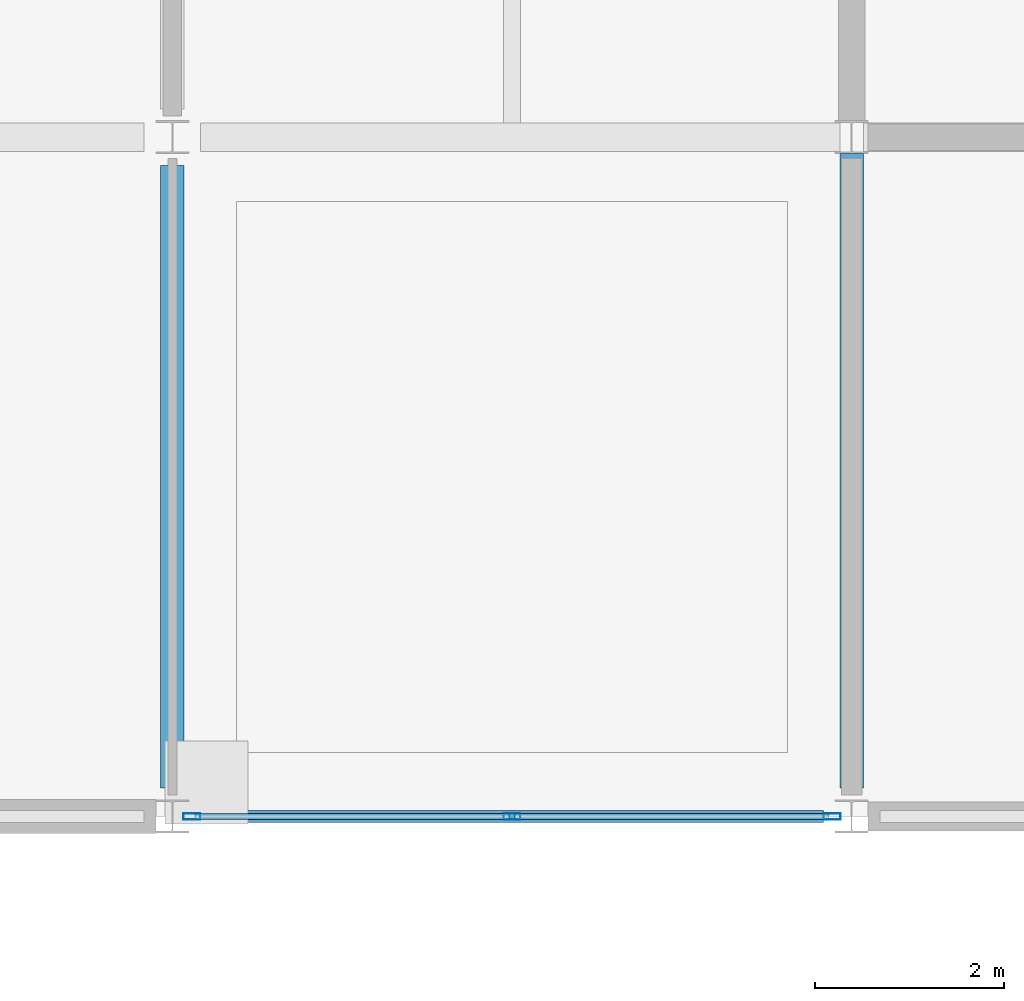
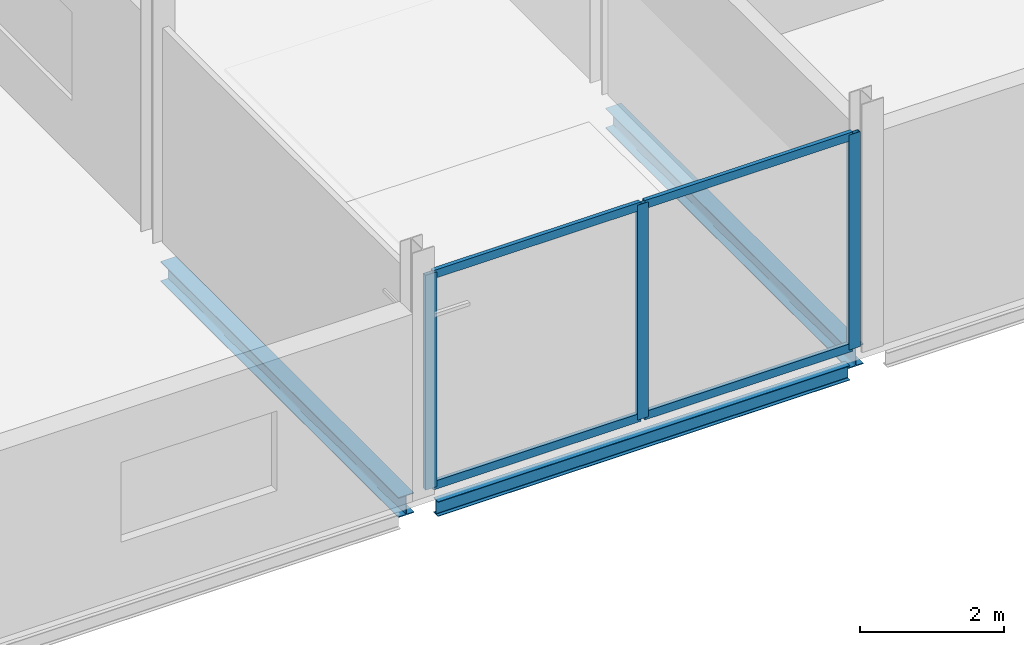
# One storey, part 11 of 26: 7 members, 3 beams, 1 element without a shape of its own.
"""IFC4 building model written with IfcOpenShell, lengths in metres."""

from ifc_helpers import new_model, si_unit, direction, frame, origin, origin_2d, place, context, subcontext, project, spatial, hollow_rectangle, i_section, extrude, material, material_profile, profile_set, type_object, element, aggregate, save


model = new_model("IFC4")

# Units and contexts
model_context = context("Model", 3, precision=1e-05, world=origin(), true_north=direction((0.0, 1.0)))
body_context = subcontext(model_context, "Body", "Model", "MODEL_VIEW")
ifc_project = project(units=[si_unit("LENGTHUNIT", "METRE"), si_unit("AREAUNIT", "SQUARE_METRE"), si_unit("VOLUMEUNIT", "CUBIC_METRE"), si_unit("PLANEANGLEUNIT", "RADIAN"), si_unit("MASSUNIT", "GRAM", prefix="KILO")], contexts=[model_context])

# Site, building, storey
site_placement = place(None, origin())
site = spatial("IfcSite", under=ifc_project, at=site_placement, CompositionType="ELEMENT")
building_placement = place(site_placement, origin())
building = spatial("IfcBuilding", under=site, at=building_placement, Name="Vesperath Aquatics Centre", CompositionType="ELEMENT")
storey_placement = place(building_placement, frame((0.0, 0.0, 19.199951171875)))
storey = spatial("IfcBuildingStorey", under=building, at=storey_placement, Name="L04", CompositionType="ELEMENT", Elevation=19.199951171875)

# Beams
ifc_material_1 = material(Name="Steel Q355C", Category="steel")
ifc_material_profile_1 = material_profile(ifc_material_1, i_section(OverallWidth=0.25, OverallDepth=0.340087890625, WebThickness=0.009033203125, FlangeThickness=0.013916015625, FilletRadius=0.02001953125, at=origin_2d()), Name="HM 340x250x9x14")
ifc_profile_set_1 = profile_set([ifc_material_profile_1], Name="Steel Q355C")
beam_type_1 = type_object("IfcBeamType", Name="BM-G12", PredefinedType="BEAM", material=ifc_profile_set_1)
beam_1_placement = place(storey_placement, frame((158.39990234375, 0.300048828125, -0.409912109375), z_axis=(0.0, 1.0, 0.0), x_axis=(-1.0, 0.0, 0.0)))
element("IfcBeam", 1, at=beam_1_placement, inside=storey, type_object=beam_type_1, Name="Floor Girder B12 L04 23 A-B", PredefinedType="BEAM", context=body_context, shape_type="SweptSolid", body=[
    extrude(i_section(OverallWidth=0.25, OverallDepth=0.340087890625, WebThickness=0.009033203125, FlangeThickness=0.013916015625, FilletRadius=0.02001953125, at=origin_2d()), origin(), (0.0, 0.0, 1.0), 6.599853515625),
])
beam_2_placement = place(storey_placement, frame((165.60009765625, 0.300048828125, -0.409912109375), z_axis=(0.0, 1.0, 0.0), x_axis=(-1.0, 0.0, 0.0)))
element("IfcBeam", 2, at=beam_2_placement, inside=storey, type_object=beam_type_1, Name="Floor Girder B12 L04 24 A-B", PredefinedType="BEAM", context=body_context, shape_type="SweptSolid", body=[
    extrude(i_section(OverallWidth=0.25, OverallDepth=0.340087890625, WebThickness=0.009033203125, FlangeThickness=0.013916015625, FilletRadius=0.02001953125, at=origin_2d()), origin(), (0.0, 0.0, 1.0), 6.724853515625),
])
ifc_material_profile_2 = material_profile(ifc_material_1, i_section(OverallWidth=0.125, OverallDepth=0.25, WebThickness=0.006103515625, FlangeThickness=0.009033203125, FilletRadius=0.010009765625, at=origin_2d()), Name="HN 250x125x6x9")
ifc_profile_set_2 = profile_set([ifc_material_profile_2], Name="Steel Q355C")
beam_type_2 = type_object("IfcBeamType", Name="BM-LN01", PredefinedType="LINTEL", material=ifc_profile_set_2)
beam_3_placement = place(storey_placement, frame((158.699951171875, 0.0, -0.364990234375), z_axis=(1.0, 0.0, 0.0), x_axis=(0.0, 1.0, 0.0)))
element("IfcBeam", 3, at=beam_3_placement, inside=storey, type_object=beam_type_2, Name="Floor Girder LN01 L04 A 23-24", PredefinedType="LINTEL", context=body_context, shape_type="SweptSolid", body=[
    extrude(i_section(OverallWidth=0.125, OverallDepth=0.25, WebThickness=0.006103515625, FlangeThickness=0.009033203125, FilletRadius=0.010009765625, at=origin_2d()), origin(), (0.0, 0.0, 1.0), 6.60009765625),
])

# Curtain wall, members
ifc_material_2 = material(Name="Thermally broken anodised bronze aluminium curtain wall", Category="aluminium")
curtain_wall_type = type_object("IfcCurtainWallType", Name="CW-07", PredefinedType="NOTDEFINED", material=ifc_material_2)
curtain_wall_placement = place(storey_placement, origin())
curtain_wall = element("IfcCurtainWall", 4, at=curtain_wall_placement, inside=storey, type_object=curtain_wall_type, Name="Facade Curtain Wall CW07 L04_S_22_00", PredefinedType="NOTDEFINED")
ifc_material_3 = material(Name="Thermally broken anodised aluminium", Category="aluminium")
ifc_material_profile_3 = material_profile(ifc_material_3, hollow_rectangle(XDim=0.06494140625, YDim=0.179931640625, WallThickness=0.00390625, at=origin_2d()), Name="CWM 65x180x4")
ifc_profile_set_3 = profile_set([ifc_material_profile_3], Name="Thermally broken anodised aluminium")
member_type_1 = type_object("IfcMemberType", Name="MB-CWM3", PredefinedType="MULLION", material=ifc_profile_set_3)
member_1_placement = place(storey_placement, frame((158.607421875, 0.0, 0.0), z_axis=(0.0, 0.0, 1.0), x_axis=(0.0, 1.0, 0.0)))
member_1 = element("IfcMember", 5, at=member_1_placement, type_object=member_type_1, Name="CW07 mullion 1", PredefinedType="MULLION", context=body_context, shape_type="SweptSolid", body=[
    extrude(hollow_rectangle(XDim=0.06494140625, YDim=0.179931640625, WallThickness=0.00390625, at=origin_2d()), origin(), (0.0, 0.0, 1.0), 3.64013671875),
])
member_2_placement = place(storey_placement, frame((162.0, 0.0, 0.0), z_axis=(0.0, 0.0, 1.0), x_axis=(0.0, 1.0, 0.0)))
member_2 = element("IfcMember", 6, at=member_2_placement, type_object=member_type_1, Name="CW07 mullion 2", PredefinedType="MULLION", context=body_context, shape_type="SweptSolid", body=[
    extrude(hollow_rectangle(XDim=0.06494140625, YDim=0.179931640625, WallThickness=0.00390625, at=origin_2d()), origin(), (0.0, 0.0, 1.0), 3.64013671875),
])
member_3_placement = place(storey_placement, frame((165.392578125, 0.0, 0.0), z_axis=(0.0, 0.0, 1.0), x_axis=(0.0, 1.0, 0.0)))
member_3 = element("IfcMember", 7, at=member_3_placement, type_object=member_type_1, Name="CW07 mullion 3", PredefinedType="MULLION", context=body_context, shape_type="SweptSolid", body=[
    extrude(hollow_rectangle(XDim=0.06494140625, YDim=0.179931640625, WallThickness=0.00390625, at=origin_2d()), origin(), (0.0, 0.0, 1.0), 3.64013671875),
])
ifc_material_profile_4 = material_profile(ifc_material_3, hollow_rectangle(XDim=0.06494140625, YDim=0.139892578125, WallThickness=0.00390625, at=origin_2d()), Name="CWT 65x140x4")
ifc_profile_set_4 = profile_set([ifc_material_profile_4], Name="Thermally broken anodised aluminium")
member_type_2 = type_object("IfcMemberType", Name="MB-CWT3", PredefinedType="USERDEFINED", material=ifc_profile_set_4)
member_4_placement = place(storey_placement, frame((158.639892578125, 0.0, 0.032470703125), z_axis=(1.0, 0.0, 0.0), x_axis=(0.0, 1.0, 0.0)))
member_4 = element("IfcMember", 8, at=member_4_placement, type_object=member_type_2, Name="CW07 transom 1.1", ObjectType="TRANSOM", PredefinedType="USERDEFINED", context=body_context, shape_type="SweptSolid", body=[
    extrude(hollow_rectangle(XDim=0.06494140625, YDim=0.139892578125, WallThickness=0.00390625, at=origin_2d()), origin(), (0.0, 0.0, 1.0), 3.32763671875),
])
member_5_placement = place(storey_placement, frame((158.639892578125, 0.0, 3.607666015625), z_axis=(1.0, 0.0, 0.0), x_axis=(0.0, 1.0, 0.0)))
member_5 = element("IfcMember", 9, at=member_5_placement, type_object=member_type_2, Name="CW07 transom 1.2", ObjectType="TRANSOM", PredefinedType="USERDEFINED", context=body_context, shape_type="SweptSolid", body=[
    extrude(hollow_rectangle(XDim=0.06494140625, YDim=0.139892578125, WallThickness=0.00390625, at=origin_2d()), origin(), (0.0, 0.0, 1.0), 3.32763671875),
])
member_6_placement = place(storey_placement, frame((162.032470703125, 0.0, 0.032470703125), z_axis=(1.0, 0.0, 0.0), x_axis=(0.0, 1.0, 0.0)))
member_6 = element("IfcMember", 10, at=member_6_placement, type_object=member_type_2, Name="CW07 transom 2.1", ObjectType="TRANSOM", PredefinedType="USERDEFINED", context=body_context, shape_type="SweptSolid", body=[
    extrude(hollow_rectangle(XDim=0.06494140625, YDim=0.139892578125, WallThickness=0.00390625, at=origin_2d()), origin(), (0.0, 0.0, 1.0), 3.32763671875),
])
member_7_placement = place(storey_placement, frame((162.032470703125, 0.0, 3.607666015625), z_axis=(1.0, 0.0, 0.0), x_axis=(0.0, 1.0, 0.0)))
member_7 = element("IfcMember", 11, at=member_7_placement, type_object=member_type_2, Name="CW07 transom 2.2", ObjectType="TRANSOM", PredefinedType="USERDEFINED", context=body_context, shape_type="SweptSolid", body=[
    extrude(hollow_rectangle(XDim=0.06494140625, YDim=0.139892578125, WallThickness=0.00390625, at=origin_2d()), origin(), (0.0, 0.0, 1.0), 3.32763671875),
])
aggregate(curtain_wall, [member_1, member_2, member_3, member_4, member_5, member_6, member_7])

save(model, "model.ifc")
